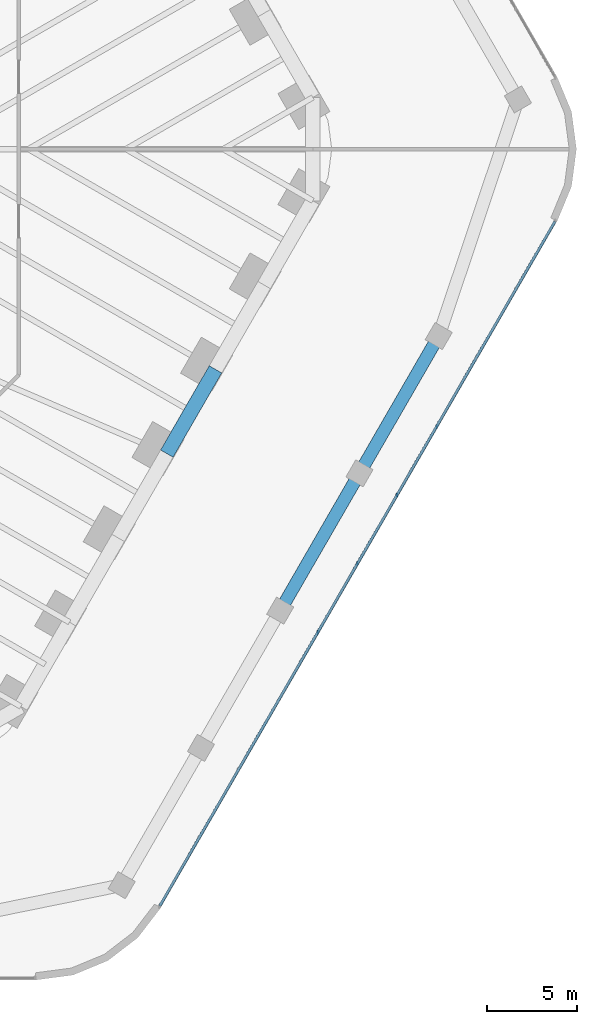
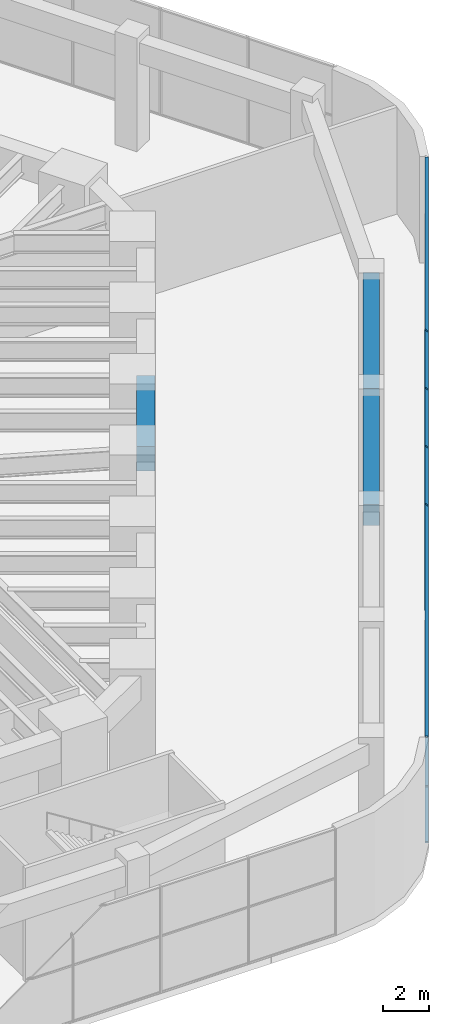
# One storey, part 12 of 31: 7 members, 3 beams, 1 element without a shape of its own.
"""IFC4 building model written with IfcOpenShell, lengths in metres."""

from ifc_helpers import new_model, si_unit, direction, frame, origin, origin_2d, place, context, subcontext, project, spatial, rectangle, extrude, material, material_profile, profile_set, type_object, element, aggregate, save


model = new_model("IFC4")

# Units and contexts
model_context = context("Model", 3, precision=1e-05, world=origin(), true_north=direction((0.0, 1.0)))
body_context = subcontext(model_context, "Body", "Model", "MODEL_VIEW")
ifc_project = project(units=[si_unit("LENGTHUNIT", "METRE"), si_unit("AREAUNIT", "SQUARE_METRE"), si_unit("VOLUMEUNIT", "CUBIC_METRE"), si_unit("PLANEANGLEUNIT", "RADIAN"), si_unit("MASSUNIT", "GRAM", prefix="KILO")], contexts=[model_context])

# Site, building, storey
site_placement = place(None, origin())
site = spatial("IfcSite", under=ifc_project, at=site_placement, CompositionType="ELEMENT")
building_placement = place(site_placement, origin())
building = spatial("IfcBuilding", under=site, at=building_placement, Name="Tarfa Lantern Tower", CompositionType="ELEMENT")
storey_placement = place(building_placement, frame((0.0, 0.0, 7.0)))
storey = spatial("IfcBuildingStorey", under=building, at=storey_placement, Name="L01", CompositionType="ELEMENT", Elevation=7.0)

# Curtain wall, members
ifc_material_1 = material(Name="Aluminium framed curtain wall", Category="aluminium")
curtain_wall_type = type_object("IfcCurtainWallType", Name="CW7 PODIUM GLAZING 5650", PredefinedType="USERDEFINED", material=ifc_material_1)
curtain_wall_placement = place(storey_placement, origin())
curtain_wall = element("IfcCurtainWall", 1, at=curtain_wall_placement, inside=storey, type_object=curtain_wall_type, Name="CW7 SE L01", ObjectType="CURTAIN WALL", PredefinedType="USERDEFINED")
ifc_material_2 = material(Name="Aluminium mullion", Category="aluminium")
ifc_material_profile_1 = material_profile(ifc_material_2, rectangle(XDim=0.06494140625, YDim=0.199951171875, at=origin_2d()), Name="AL MULLION 65x200")
ifc_profile_set_1 = profile_set([ifc_material_profile_1], Name="Aluminium mullion")
member_type_1 = type_object("IfcMemberType", Name="CWM1 MULLION 65x200", PredefinedType="MULLION", material=ifc_profile_set_1)
member_1_placement = place(storey_placement, frame((37.556640625, -26.75, 0.0), z_axis=(0.0, 0.0, 1.0), x_axis=(1.0, 0.0, 0.0)))
member_1 = element("IfcMember", 2, at=member_1_placement, type_object=member_type_1, Name="CW7 mullion 5", PredefinedType="MULLION", context=body_context, shape_type="SweptSolid", body=[
    extrude(rectangle(XDim=0.06494140625, YDim=0.199951171875, at=origin_2d()), origin(), (0.0, 0.0, 1.0), 5.64990234375),
])
member_2_placement = place(storey_placement, frame((39.75048828125, -22.949951171875, 0.0), z_axis=(0.0, 0.0, 1.0), x_axis=(1.0, 0.0, 0.0)))
member_2 = element("IfcMember", 3, at=member_2_placement, type_object=member_type_1, Name="CW7 mullion 6", PredefinedType="MULLION", context=body_context, shape_type="SweptSolid", body=[
    extrude(rectangle(XDim=0.06494140625, YDim=0.199951171875, at=origin_2d()), origin(), (0.0, 0.0, 1.0), 5.64990234375),
])
member_3_placement = place(storey_placement, frame((41.944580078125, -19.14990234375, 0.0), z_axis=(0.0, 0.0, 1.0), x_axis=(1.0, 0.0, 0.0)))
member_3 = element("IfcMember", 4, at=member_3_placement, type_object=member_type_1, Name="CW7 mullion 7", PredefinedType="MULLION", context=body_context, shape_type="SweptSolid", body=[
    extrude(rectangle(XDim=0.06494140625, YDim=0.199951171875, at=origin_2d()), origin(), (0.0, 0.0, 1.0), 5.64990234375),
])
member_4_placement = place(storey_placement, frame((44.138427734375, -15.35009765625, 0.0), z_axis=(0.0, 0.0, 1.0), x_axis=(1.0, 0.0, 0.0)))
member_4 = element("IfcMember", 5, at=member_4_placement, type_object=member_type_1, Name="CW7 mullion 8", PredefinedType="MULLION", context=body_context, shape_type="SweptSolid", body=[
    extrude(rectangle(XDim=0.06494140625, YDim=0.199951171875, at=origin_2d()), origin(), (0.0, 0.0, 1.0), 5.64990234375),
])
ifc_material_3 = material(Name="Aluminium transom", Category="aluminium")
ifc_material_profile_2 = material_profile(ifc_material_3, rectangle(XDim=0.14990234375, YDim=0.06494140625, at=origin_2d()), Name="AL TRANSOM 150x65")
ifc_profile_set_2 = profile_set([ifc_material_profile_2], Name="Aluminium transom")
member_type_2 = type_object("IfcMemberType", Name="CWT1 TRANSOM 150x65", PredefinedType="USERDEFINED", material=ifc_profile_set_2)
member_5_placement = place(storey_placement, frame((28.8134765625, -41.893798828125, 0.032470703125), z_axis=(0.499998927597, 0.866026022936, 0.0), x_axis=(-0.866026022936, 0.499998927597, 0.0)))
member_5 = element("IfcMember", 6, at=member_5_placement, type_object=member_type_2, Name="CW7 transom 1.1", ObjectType="TRANSOM", PredefinedType="USERDEFINED", context=body_context, shape_type="SweptSolid", body=[
    extrude(rectangle(XDim=0.14990234375, YDim=0.06494140625, at=origin_2d()), origin(), (0.0, 0.0, 1.0), 43.74853515625),
])
member_6_placement = place(storey_placement, frame((28.8134765625, -41.893798828125, 3.0), z_axis=(0.499998927597, 0.866026022936, 0.0), x_axis=(-0.866026022936, 0.499998927597, 0.0)))
member_6 = element("IfcMember", 7, at=member_6_placement, type_object=member_type_2, Name="CW7 transom 1.2", ObjectType="TRANSOM", PredefinedType="USERDEFINED", context=body_context, shape_type="SweptSolid", body=[
    extrude(rectangle(XDim=0.14990234375, YDim=0.06494140625, at=origin_2d()), origin(), (0.0, 0.0, 1.0), 43.74853515625),
])
member_7_placement = place(storey_placement, frame((28.8134765625, -41.893798828125, 5.617431640625), z_axis=(0.499998927597, 0.866026022936, 0.0), x_axis=(-0.866026022936, 0.499998927597, 0.0)))
member_7 = element("IfcMember", 8, at=member_7_placement, type_object=member_type_2, Name="CW7 transom 1.3", ObjectType="TRANSOM", PredefinedType="USERDEFINED", context=body_context, shape_type="SweptSolid", body=[
    extrude(rectangle(XDim=0.14990234375, YDim=0.06494140625, at=origin_2d()), origin(), (0.0, 0.0, 1.0), 43.74853515625),
])
aggregate(curtain_wall, [member_1, member_2, member_3, member_4, member_5, member_6, member_7])

# Beams
ifc_material_4 = material(Name="Concrete C80/95", Category="concrete")
ifc_material_profile_3 = material_profile(ifc_material_4, rectangle(XDim=0.800048828125, YDim=1.300048828125, at=origin_2d()), Name="RC 800x1300")
ifc_profile_set_3 = profile_set([ifc_material_profile_3], Name="Concrete C80/95")
beam_type_1 = type_object("IfcBeamType", Name="EB1 RC 800x1300", PredefinedType="SPANDREL", material=ifc_profile_set_3)
beam_placement = place(storey_placement, frame((29.202392578125, -16.860107421875, 5.0), z_axis=(0.499998287579, 0.866026392449, 0.0), x_axis=(-0.866026392449, 0.499998287579, 0.0)))
element("IfcBeam", 9, at=beam_placement, inside=storey, type_object=beam_type_1, Name="Edge beam SE3", PredefinedType="SPANDREL", context=body_context, shape_type="SweptSolid", body=[
    extrude(rectangle(XDim=0.800048828125, YDim=1.300048828125, at=origin_2d()), origin(), (0.0, 0.0, 1.0), 5.388671875),
])
ifc_material_profile_4 = material_profile(ifc_material_4, rectangle(XDim=0.699951171875, YDim=1.10009765625, at=origin_2d()), Name="RC 700x1100")
ifc_profile_set_4 = profile_set([ifc_material_profile_4], Name="Concrete C80/95")
beam_type_2 = type_object("IfcBeamType", Name="PB1 RC 700x1100", PredefinedType="BEAM", material=ifc_profile_set_4)
for number, where, z_axis, x_axis, name in (
    (10, (35.478271484375, -25.550048828125, 5.10009765625), (0.499980931779, 0.866036412547, 0.0), (-0.866036412547, 0.499980931779, 0.0), "Podium ring beam SE2"),
    (11, (39.865966796875, -17.949951171875, 5.10009765625), (0.500013843384, 0.866017411155, 0.0), (-0.866017411155, 0.500013843384, 0.0), "Podium ring beam SE3"),
):
    element("IfcBeam", number, at=place(storey_placement, frame(where, z_axis=z_axis, x_axis=x_axis)), inside=storey, type_object=beam_type_2, Name=name, PredefinedType="BEAM", context=body_context, shape_type="SweptSolid", body=[
        extrude(rectangle(XDim=0.699951171875, YDim=1.10009765625, at=origin_2d()), origin(), (0.0, 0.0, 1.0), 8.775634765625),
    ])

save(model, "model.ifc")
